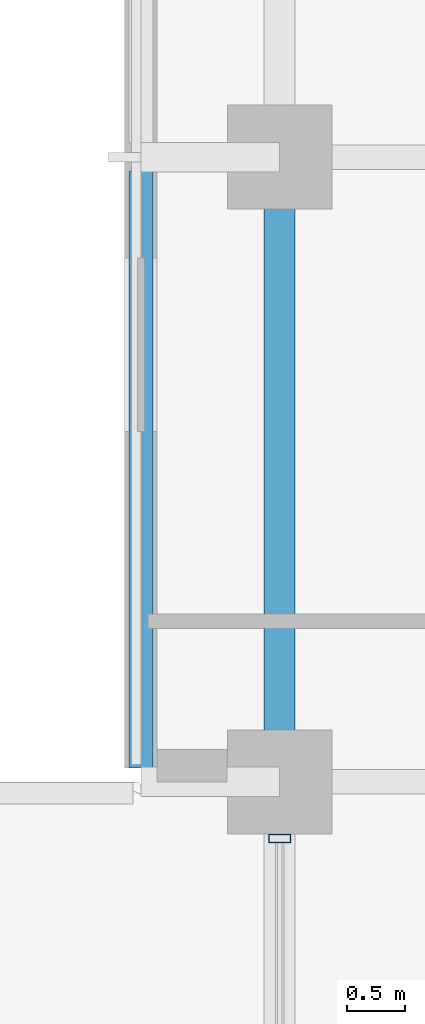
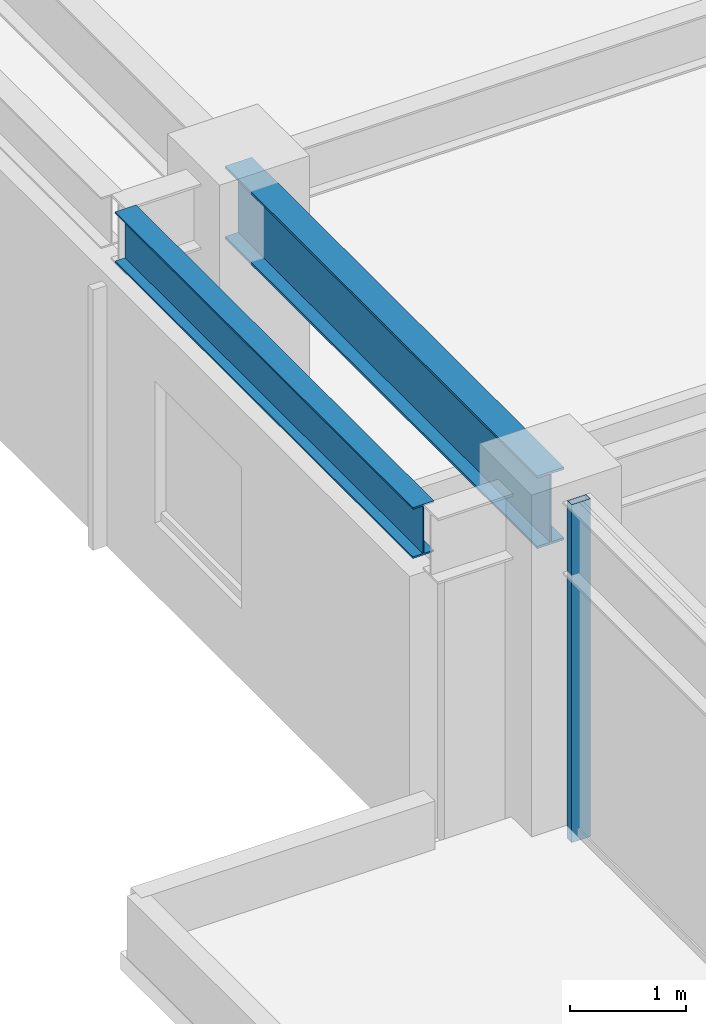
# One storey, part 7 of 28: 2 beams, 1 member, 1 element without a shape of its own.
"""IFC4 building model written with IfcOpenShell, lengths in metres."""

from ifc_helpers import new_model, si_unit, direction, frame, origin, origin_2d, place, context, subcontext, project, spatial, hollow_rectangle, i_section, extrude, material, layer, layer_set, material_profile, profile_set, type_object, element, aggregate, save


model = new_model("IFC4")

# Units and contexts
model_context = context("Model", 3, precision=1e-05, world=origin(), true_north=direction((0.0, 1.0)))
body_context = subcontext(model_context, "Body", "Model", "MODEL_VIEW")
ifc_project = project(units=[si_unit("LENGTHUNIT", "METRE"), si_unit("AREAUNIT", "SQUARE_METRE"), si_unit("VOLUMEUNIT", "CUBIC_METRE"), si_unit("PLANEANGLEUNIT", "RADIAN"), si_unit("MASSUNIT", "GRAM", prefix="KILO")], contexts=[model_context])

# Site, building, storey
site_placement = place(None, origin())
site = spatial("IfcSite", under=ifc_project, at=site_placement, CompositionType="ELEMENT")
building_placement = place(site_placement, origin())
building = spatial("IfcBuilding", under=site, at=building_placement, Name="Surkhivell Harbour Commons", CompositionType="ELEMENT")
storey_placement = place(building_placement, frame((0.0, 0.0, 182.25)))
storey = spatial("IfcBuildingStorey", under=building, at=storey_placement, Name="L47", CompositionType="ELEMENT", Elevation=182.25)

# Beams
ifc_material_1 = material(Name="Steel S355", Category="steel")
ifc_material_profile_1 = material_profile(ifc_material_1, i_section(OverallWidth=0.2099609375, OverallDepth=0.537109375, WebThickness=0.0107421875, FlangeThickness=0.017333984375, at=origin_2d()), Name="UB533x210x101")
ifc_profile_set_1 = profile_set([ifc_material_profile_1], Name="Steel S355")
beam_type_1 = type_object("IfcBeamType", Name="BM-GRD-533B", PredefinedType="BEAM", material=ifc_profile_set_1)
beam_1_placement = place(storey_placement, frame((-28.199951171875, 5.52197265625, 3.301513671875), z_axis=(0.0, 1.0, 0.0), x_axis=(-1.0, 0.0, 0.0)))
element("IfcBeam", 1, at=beam_1_placement, inside=storey, type_object=beam_type_1, Name="L47 Box Rim Spandrel (-28.2,5.4)", PredefinedType="BEAM", context=body_context, shape_type="SweptSolid", body=[
    extrude(i_section(OverallWidth=0.2099609375, OverallDepth=0.537109375, WebThickness=0.0107421875, FlangeThickness=0.017333984375, at=origin_2d()), origin(), (0.0, 0.0, 1.0), 5.156005859375),
])
ifc_material_profile_2 = material_profile(ifc_material_1, i_section(OverallWidth=0.26806640625, OverallDepth=0.77001953125, WebThickness=0.015625, FlangeThickness=0.025390625, at=origin_2d()), Name="UB762x267x197")
ifc_profile_set_2 = profile_set([ifc_material_profile_2], Name="Steel S355")
beam_type_2 = type_object("IfcBeamType", Name="BM-SPN-762", PredefinedType="SPANDREL", material=ifc_profile_set_2)
beam_2_placement = place(storey_placement, frame((-27.0, 5.39990234375, 3.18505859375), z_axis=(0.0, 1.0, 0.0), x_axis=(-1.0, 0.0, 0.0)))
element("IfcBeam", 2, at=beam_2_placement, inside=storey, type_object=beam_type_2, Name="L47 Tube Spandrel (-27.0,5.4)", PredefinedType="SPANDREL", context=body_context, shape_type="SweptSolid", body=[
    extrude(i_section(OverallWidth=0.26806640625, OverallDepth=0.77001953125, WebThickness=0.015625, FlangeThickness=0.025390625, at=origin_2d()), origin(), (0.0, 0.0, 1.0), 5.400146484375),
])

# Curtain wall, member
ifc_material_2 = material(Name="Anodised pale-metal aluminium and insulated glazing", Category="aluminium")
ifc_layer = layer(ifc_material_2, 0.18994140625)
ifc_layer_set = layer_set([ifc_layer], Name="Anodised pale-metal aluminium and insulated glazing")
curtain_wall_type = type_object("IfcCurtainWallType", Name="CW-SYS-Z3", PredefinedType="NOTDEFINED", material=ifc_layer_set)
curtain_wall_placement = place(storey_placement, origin())
curtain_wall = element("IfcCurtainWall", 3, at=curtain_wall_placement, inside=storey, type_object=curtain_wall_type, Name="L47 Curtain Wall CW-L47-E12R1S1", PredefinedType="NOTDEFINED")
ifc_material_3 = material(Name="Anodised pale-metal aluminium alloy 6063-T6", Category="aluminium")
ifc_material_profile_3 = material_profile(ifc_material_3, hollow_rectangle(XDim=0.074951171875, YDim=0.18994140625, WallThickness=0.00390625, at=origin_2d()), Name="ALU-MULL-75x190")
ifc_profile_set_3 = profile_set([ifc_material_profile_3], Name="Anodised pale-metal aluminium alloy 6063-T6")
member_type = type_object("IfcMemberType", Name="CWM-190", PredefinedType="MULLION", material=ifc_profile_set_3)
member_placement = place(storey_placement, frame((-27.0, 4.910400390625, 0.0), z_axis=(0.0, 0.0, 1.0), x_axis=(0.0, 1.0, 0.0)))
member = element("IfcMember", 4, at=member_placement, type_object=member_type, Name="CW-Z3 mullion 4", PredefinedType="MULLION", context=body_context, shape_type="SweptSolid", body=[
    extrude(hollow_rectangle(XDim=0.074951171875, YDim=0.18994140625, WallThickness=0.00390625, at=origin_2d()), origin(), (0.0, 0.0, 1.0), 3.570068359375),
])
aggregate(curtain_wall, [member])

save(model, "model.ifc")
